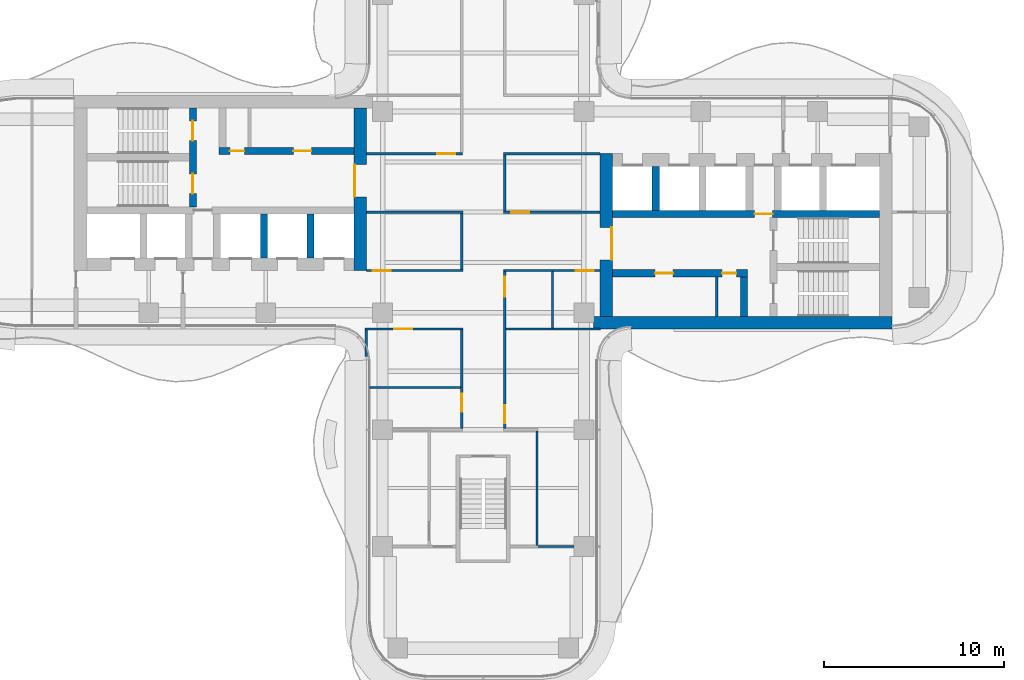
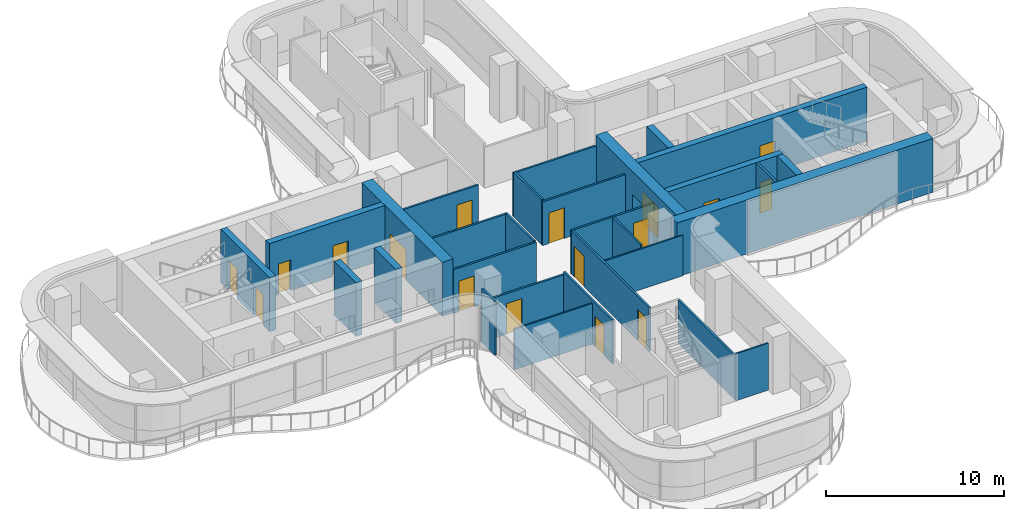
# One storey, part 14 of 18: 29 walls, 17 doors, 17 openings.
"""IFC4 building model written with IfcOpenShell, lengths in metres."""

from ifc_helpers import new_model, si_unit, direction, frame, frame_2d, origin, place, context, subcontext, project, spatial, rectangle, extrude, source, transform, mapped, material, layer, layer_set, type_object, element, fill, save


model = new_model("IFC4")

# Units and contexts
model_context = context("Model", 3, precision=1e-05, world=origin(), true_north=direction((0.0, 1.0)))
body_context = subcontext(model_context, "Body", "Model", "MODEL_VIEW")
ifc_project = project(units=[si_unit("LENGTHUNIT", "METRE"), si_unit("AREAUNIT", "SQUARE_METRE"), si_unit("VOLUMEUNIT", "CUBIC_METRE"), si_unit("PLANEANGLEUNIT", "RADIAN"), si_unit("MASSUNIT", "GRAM", prefix="KILO")], contexts=[model_context])

# Site, building, storey
site_placement = place(None, origin())
site = spatial("IfcSite", under=ifc_project, at=site_placement, CompositionType="ELEMENT")
building_placement = place(site_placement, origin())
building = spatial("IfcBuilding", under=site, at=building_placement, Name="Trellis Farm Tower", CompositionType="ELEMENT")
storey_placement = place(building_placement, frame((0.0, 0.0, 224.60009765625)))
storey = spatial("IfcBuildingStorey", under=building, at=storey_placement, Name="L49", CompositionType="ELEMENT", Elevation=224.60009765625)

# Wall, opening, door
ifc_material_1 = material(Name="Concrete C60/75", Category="concrete")
ifc_layer_1 = layer(ifc_material_1, 0.699951171875)
ifc_layer_set_1 = layer_set([ifc_layer_1], Name="CORE OUTER WALL 700 CONCRETE C60/75")
wall_type_1 = type_object("IfcWallType", Name="CORE OUTER WALL 700 CONCRETE C60/75", PredefinedType="SHEAR", material=ifc_layer_set_1)
shared_shape_1 = source(origin(), body_context, "Body", "SweptSolid", [
    extrude(rectangle(XDim=9.050048828125, YDim=0.699951171875, at=frame_2d((4.52490234375, 0.0))), origin(), (0.0, 0.0, 1.0), 3.699951171875),
])
wall_1_placement = place(storey_placement, frame((6.85009765625, -5.800048828125, 0.0), z_axis=(0.0, 0.0, 1.0), x_axis=(0.0, 1.0, 0.0)))
wall_1 = element("IfcWall", 1, at=wall_1_placement, inside=storey, type_object=wall_type_1, Name="Core wall", PredefinedType="SHEAR", context=body_context, shape_type="MappedRepresentation", body=[
    mapped(shared_shape_1, transform((0.0, 0.0, 0.0))),
])
shared_shape_2 = source(origin(), body_context, "Body", "SweptSolid", [
    extrude(rectangle(XDim=1.800048828125, YDim=2.10009765625, at=frame_2d((0.89990234375, 1.050048828125))), frame((0.0, 0.360107421875, 0.0), z_axis=(0.0, -1.0, 0.0), x_axis=(1.0, 0.0, 0.0)), (0.0, 0.0, 1.0), 0.72021484375),
])
opening_1_placement = place(wall_1_placement, frame((3.14990234375, 0.0, 0.0)))
opening_1 = element("IfcOpeningElement", 2, at=opening_1_placement, cuts=wall_1, Name="Opening DC1", PredefinedType="OPENING", context=body_context, shape_type="MappedRepresentation", body=[
    mapped(shared_shape_2, transform((0.0, 0.0, 0.0))),
])
ifc_material_2 = material(Name="Steel", Category="steel")
door_type_1 = type_object("IfcDoorType", Name="CORE FIRE DOOR DOUBLE 1800 X 2100", OperationType="DOUBLE_DOOR_SINGLE_SWING", PredefinedType="DOOR", material=ifc_material_2)
shared_shape_3 = source(origin(), body_context, "Body", "SweptSolid", [
    extrude(rectangle(XDim=1.800048828125, YDim=2.10009765625, at=frame_2d((0.89990234375, 1.050048828125))), frame((0.0, -0.27490234375, 0.0), z_axis=(0.0, -1.0, 0.0), x_axis=(1.0, 0.0, 0.0)), (0.0, 0.0, 1.0), 0.050048828125),
])
door_1_placement = place(opening_1_placement, origin())
door_1 = element("IfcDoor", 3, at=door_1_placement, inside=storey, type_object=door_type_1, Name="Core door", OperationType="DOUBLE_DOOR_SINGLE_SWING", OverallHeight=2.10009765625, OverallWidth=1.800048828125, PredefinedType="DOOR", context=body_context, shape_type="MappedRepresentation", body=[
    mapped(shared_shape_3, transform((0.0, 0.0, 0.0))),
])
fill(opening_1, door_1)

wall_2_placement = place(storey_placement, frame((-6.85009765625, 5.800048828125, 0.0), z_axis=(0.0, 0.0, 1.0), x_axis=(0.0, -1.0, 0.0)))
wall_2 = element("IfcWall", 4, at=wall_2_placement, inside=storey, type_object=wall_type_1, Name="Core wall", PredefinedType="SHEAR", context=body_context, shape_type="MappedRepresentation", body=[
    mapped(shared_shape_1, transform((0.0, 0.0, 0.0))),
])
opening_2_placement = place(wall_2_placement, frame((3.14990234375, 0.0, 0.0)))
opening_2 = element("IfcOpeningElement", 5, at=opening_2_placement, cuts=wall_2, Name="Opening DC87", PredefinedType="OPENING", context=body_context, shape_type="MappedRepresentation", body=[
    mapped(shared_shape_2, transform((0.0, 0.0, 0.0))),
])
door_2_placement = place(opening_2_placement, origin())
door_2 = element("IfcDoor", 6, at=door_2_placement, inside=storey, type_object=door_type_1, Name="Core door", OperationType="DOUBLE_DOOR_SINGLE_SWING", OverallHeight=2.10009765625, OverallWidth=1.800048828125, PredefinedType="DOOR", context=body_context, shape_type="MappedRepresentation", body=[
    mapped(shared_shape_3, transform((0.0, 0.0, 0.0))),
])
fill(opening_2, door_2)

# Walls
ifc_layer_2 = layer(ifc_material_1, 0.39990234375)
ifc_layer_set_2 = layer_set([ifc_layer_2], Name="CORE INNER WALL 400 CONCRETE C60/75")
wall_type_2 = type_object("IfcWallType", Name="CORE INNER WALL 400 CONCRETE C60/75", PredefinedType="SHEAR", material=ifc_layer_set_2)
shared_shape_4 = source(origin(), body_context, "Body", "SweptSolid", [
    extrude(rectangle(XDim=2.449951171875, YDim=0.39990234375, at=frame_2d((1.22509765625, 0.0))), origin(), (0.0, 0.0, 1.0), 3.699951171875),
])
for number, where, z_axis, x_axis, name in (
    (7, (9.60009765625, 0.10009765625, 0.0), (0.0, 0.0, 1.0), (0.0, 1.0, 0.0), "Core wall"),
    (8, (-9.60009765625, -0.10009765625, 0.0), (0.0, 0.0, 1.0), (0.0, -1.0, 0.0), "Core wall"),
    (9, (-12.199951171875, -0.10009765625, 0.0), (0.0, 0.0, 1.0), (0.0, -1.0, 0.0), "Core wall"),
):
    element("IfcWall", number, at=place(storey_placement, frame(where, z_axis=z_axis, x_axis=x_axis)), inside=storey, type_object=wall_type_2, Name=name, PredefinedType="SHEAR", context=body_context, shape_type="MappedRepresentation", body=[
        mapped(shared_shape_4, transform((0.0, 0.0, 0.0))),
    ])

# Wall, openings, doors
shared_shape_5 = source(origin(), body_context, "Body", "SweptSolid", [
    extrude(rectangle(XDim=7.5, YDim=0.39990234375, at=frame_2d((3.75, 0.0))), origin(), (0.0, 0.0, 1.0), 3.699951171875),
])
wall_3_placement = place(storey_placement, frame((7.199951171875, -3.39990234375, 0.0), z_axis=(0.0, 0.0, 1.0), x_axis=(1.0, 0.0, 0.0)))
wall_3 = element("IfcWall", 10, at=wall_3_placement, inside=storey, type_object=wall_type_2, Name="Core wall", PredefinedType="SHEAR", context=body_context, shape_type="MappedRepresentation", body=[
    mapped(shared_shape_5, transform((0.0, 0.0, 0.0))),
])
shared_shape_6 = source(origin(), body_context, "Body", "SweptSolid", [
    extrude(rectangle(XDim=1.0, YDim=2.10009765625, at=frame_2d((0.5, 1.050048828125))), frame((0.0, 0.2099609375, 0.0), z_axis=(0.0, -1.0, 0.0), x_axis=(1.0, 0.0, 0.0)), (0.0, 0.0, 1.0), 0.419921875),
])
opening_3_placement = place(wall_3_placement, frame((2.362548828125, 0.0, 0.0)))
opening_3 = element("IfcOpeningElement", 11, at=opening_3_placement, cuts=wall_3, Name="Opening DC55", PredefinedType="OPENING", context=body_context, shape_type="MappedRepresentation", body=[
    mapped(shared_shape_6, transform((0.0, 0.0, 0.0))),
])
shared_shape_7 = source(origin(), body_context, "Body", "SweptSolid", [
    extrude(rectangle(XDim=0.800048828125, YDim=2.10009765625, at=frame_2d((0.39990234375, 1.050048828125))), frame((0.0, 0.2099609375, 0.0), z_axis=(0.0, -1.0, 0.0), x_axis=(1.0, 0.0, 0.0)), (0.0, 0.0, 1.0), 0.419921875),
])
opening_4_placement = place(wall_3_placement, frame((6.08740234375, 0.0, 0.0)))
opening_4 = element("IfcOpeningElement", 12, at=opening_4_placement, cuts=wall_3, Name="Opening DC58", PredefinedType="OPENING", context=body_context, shape_type="MappedRepresentation", body=[
    mapped(shared_shape_7, transform((0.0, 0.0, 0.0))),
])
door_type_2 = type_object("IfcDoorType", Name="CORE FIRE DOOR 1000 X 2100", OperationType="NOTDEFINED", PredefinedType="DOOR", material=ifc_material_2)
shared_shape_8 = source(origin(), body_context, "Body", "SweptSolid", [
    extrude(rectangle(XDim=1.0, YDim=2.10009765625, at=frame_2d((0.5, 1.050048828125))), frame((0.0, 0.02490234375, 0.0), z_axis=(0.0, -1.0, 0.0), x_axis=(1.0, 0.0, 0.0)), (0.0, 0.0, 1.0), 0.050048828125),
])
door_3_placement = place(opening_3_placement, origin())
door_3 = element("IfcDoor", 13, at=door_3_placement, inside=storey, type_object=door_type_2, Name="Core door", OperationType="SINGLE_SWING_LEFT", OverallHeight=2.10009765625, OverallWidth=1.0, PredefinedType="DOOR", context=body_context, shape_type="MappedRepresentation", body=[
    mapped(shared_shape_8, transform((0.0, 0.0, 0.0))),
])
fill(opening_3, door_3)
door_type_3 = type_object("IfcDoorType", Name="CORE FIRE DOOR 800 X 2100", OperationType="NOTDEFINED", PredefinedType="DOOR", material=ifc_material_2)
shared_shape_9 = source(origin(), body_context, "Body", "SweptSolid", [
    extrude(rectangle(XDim=0.800048828125, YDim=2.10009765625, at=frame_2d((0.39990234375, 1.050048828125))), frame((0.0, 0.02490234375, 0.0), z_axis=(0.0, -1.0, 0.0), x_axis=(1.0, 0.0, 0.0)), (0.0, 0.0, 1.0), 0.050048828125),
])
door_4_placement = place(opening_4_placement, origin())
door_4 = element("IfcDoor", 14, at=door_4_placement, inside=storey, type_object=door_type_3, Name="Core door", OperationType="SINGLE_SWING_RIGHT", OverallHeight=2.10009765625, OverallWidth=0.800048828125, PredefinedType="DOOR", context=body_context, shape_type="MappedRepresentation", body=[
    mapped(shared_shape_9, transform((0.0, 0.0, 0.0))),
])
fill(opening_4, door_4)

wall_4_placement = place(storey_placement, frame((-7.199951171875, 3.39990234375, 0.0), z_axis=(0.0, 0.0, 1.0), x_axis=(-1.0, 0.0, 0.0)))
wall_4 = element("IfcWall", 15, at=wall_4_placement, inside=storey, type_object=wall_type_2, Name="Core wall", PredefinedType="SHEAR", context=body_context, shape_type="MappedRepresentation", body=[
    mapped(shared_shape_5, transform((0.0, 0.0, 0.0))),
])
opening_5_placement = place(wall_4_placement, frame((2.362548828125, 0.0, 0.0)))
opening_5 = element("IfcOpeningElement", 16, at=opening_5_placement, cuts=wall_4, Name="Opening DC141", PredefinedType="OPENING", context=body_context, shape_type="MappedRepresentation", body=[
    mapped(shared_shape_6, transform((0.0, 0.0, 0.0))),
])
opening_6_placement = place(wall_4_placement, frame((6.08740234375, 0.0, 0.0)))
opening_6 = element("IfcOpeningElement", 17, at=opening_6_placement, cuts=wall_4, Name="Opening DC144", PredefinedType="OPENING", context=body_context, shape_type="MappedRepresentation", body=[
    mapped(shared_shape_7, transform((0.0, 0.0, 0.0))),
])
door_5_placement = place(opening_5_placement, origin())
door_5 = element("IfcDoor", 18, at=door_5_placement, inside=storey, type_object=door_type_2, Name="Core door", OperationType="SINGLE_SWING_LEFT", OverallHeight=2.10009765625, OverallWidth=1.0, PredefinedType="DOOR", context=body_context, shape_type="MappedRepresentation", body=[
    mapped(shared_shape_8, transform((0.0, 0.0, 0.0))),
])
fill(opening_5, door_5)
door_6_placement = place(opening_6_placement, origin())
door_6 = element("IfcDoor", 19, at=door_6_placement, inside=storey, type_object=door_type_3, Name="Core door", OperationType="SINGLE_SWING_RIGHT", OverallHeight=2.10009765625, OverallWidth=0.800048828125, PredefinedType="DOOR", context=body_context, shape_type="MappedRepresentation", body=[
    mapped(shared_shape_9, transform((0.0, 0.0, 0.0))),
])
fill(opening_6, door_6)

# Wall, opening, door
shared_shape_10 = source(origin(), body_context, "Body", "SweptSolid", [
    extrude(rectangle(XDim=14.85009765625, YDim=0.39990234375, at=frame_2d((7.425048828125, 0.0))), origin(), (0.0, 0.0, 1.0), 3.699951171875),
])
wall_5_placement = place(storey_placement, frame((7.199951171875, -0.10009765625, 0.0), z_axis=(0.0, 0.0, 1.0), x_axis=(1.0, 0.0, 0.0)))
wall_5 = element("IfcWall", 20, at=wall_5_placement, inside=storey, type_object=wall_type_2, Name="Core wall", PredefinedType="SHEAR", context=body_context, shape_type="MappedRepresentation", body=[
    mapped(shared_shape_10, transform((0.0, 0.0, 0.0))),
])
opening_7_placement = place(wall_5_placement, frame((7.89990234375, 0.0, 0.0)))
opening_7 = element("IfcOpeningElement", 21, at=opening_7_placement, cuts=wall_5, Name="Opening DC5", PredefinedType="OPENING", context=body_context, shape_type="MappedRepresentation", body=[
    mapped(shared_shape_6, transform((0.0, 0.0, 0.0))),
])
door_7_placement = place(opening_7_placement, origin())
door_7 = element("IfcDoor", 22, at=door_7_placement, inside=storey, type_object=door_type_2, Name="Core door", OperationType="SINGLE_SWING_RIGHT", OverallHeight=2.10009765625, OverallWidth=1.0, PredefinedType="DOOR", context=body_context, shape_type="MappedRepresentation", body=[
    mapped(shared_shape_8, transform((0.0, 0.0, 0.0))),
])
fill(opening_7, door_7)

# Wall, openings, doors
shared_shape_11 = source(origin(), body_context, "Body", "SweptSolid", [
    extrude(rectangle(XDim=5.5, YDim=0.39990234375, at=frame_2d((2.75, 0.0))), origin(), (0.0, 0.0, 1.0), 3.699951171875),
])
wall_6_placement = place(storey_placement, frame((-16.14990234375, 5.800048828125, 0.0), z_axis=(0.0, 0.0, 1.0), x_axis=(0.0, -1.0, 0.0)))
wall_6 = element("IfcWall", 23, at=wall_6_placement, inside=storey, type_object=wall_type_2, Name="Core wall", PredefinedType="SHEAR", context=body_context, shape_type="MappedRepresentation", body=[
    mapped(shared_shape_11, transform((0.0, 0.0, 0.0))),
])
shared_shape_12 = source(origin(), body_context, "Body", "SweptSolid", [
    extrude(rectangle(XDim=1.10009765625, YDim=2.10009765625, at=frame_2d((0.550048828125, 1.050048828125))), frame((0.0, 0.2099609375, 0.0), z_axis=(0.0, -1.0, 0.0), x_axis=(1.0, 0.0, 0.0)), (0.0, 0.0, 1.0), 0.419921875),
])
opening_8_placement = place(wall_6_placement, frame((0.72509765625, 0.0, 0.0)))
opening_8 = element("IfcOpeningElement", 24, at=opening_8_placement, cuts=wall_6, Name="Opening DC88", PredefinedType="OPENING", context=body_context, shape_type="MappedRepresentation", body=[
    mapped(shared_shape_12, transform((0.0, 0.0, 0.0))),
])
opening_9_placement = place(wall_6_placement, frame((3.675048828125, 0.0, 0.0)))
opening_9 = element("IfcOpeningElement", 25, at=opening_9_placement, cuts=wall_6, Name="Opening DC89", PredefinedType="OPENING", context=body_context, shape_type="MappedRepresentation", body=[
    mapped(shared_shape_12, transform((0.0, 0.0, 0.0))),
])
door_type_4 = type_object("IfcDoorType", Name="CORE FIRE DOOR 1100 X 2100", OperationType="NOTDEFINED", PredefinedType="DOOR", material=ifc_material_2)
shared_shape_13 = source(origin(), body_context, "Body", "SweptSolid", [
    extrude(rectangle(XDim=1.10009765625, YDim=2.10009765625, at=frame_2d((0.550048828125, 1.050048828125))), frame((0.0, 0.02490234375, 0.0), z_axis=(0.0, -1.0, 0.0), x_axis=(1.0, 0.0, 0.0)), (0.0, 0.0, 1.0), 0.050048828125),
])
door_8_placement = place(opening_8_placement, origin())
door_8 = element("IfcDoor", 26, at=door_8_placement, inside=storey, type_object=door_type_4, Name="Core door", OperationType="SINGLE_SWING_RIGHT", OverallHeight=2.10009765625, OverallWidth=1.10009765625, PredefinedType="DOOR", context=body_context, shape_type="MappedRepresentation", body=[
    mapped(shared_shape_13, transform((0.0, 0.0, 0.0))),
])
fill(opening_8, door_8)
door_9_placement = place(opening_9_placement, origin())
door_9 = element("IfcDoor", 27, at=door_9_placement, inside=storey, type_object=door_type_4, Name="Core door", OperationType="SINGLE_SWING_LEFT", OverallHeight=2.10009765625, OverallWidth=1.10009765625, PredefinedType="DOOR", context=body_context, shape_type="MappedRepresentation", body=[
    mapped(shared_shape_13, transform((0.0, 0.0, 0.0))),
])
fill(opening_9, door_9)

# Walls
shared_shape_14 = source(origin(), body_context, "Body", "SweptSolid", [
    extrude(rectangle(XDim=2.199951171875, YDim=0.39990234375, at=frame_2d((1.10009765625, 0.0))), origin(), (0.0, 0.0, 1.0), 3.699951171875),
])
wall_7_placement = place(storey_placement, frame((14.5, -5.800048828125, 0.0), z_axis=(0.0, 0.0, 1.0), x_axis=(0.0, 1.0, 0.0)))
element("IfcWall", 28, at=wall_7_placement, inside=storey, type_object=wall_type_2, Name="Core wall", PredefinedType="SHEAR", context=body_context, shape_type="MappedRepresentation", body=[
    mapped(shared_shape_14, transform((0.0, 0.0, 0.0))),
])
ifc_material_3 = material(Name="Masonry blockwork", Category="masonry")
ifc_layer_3 = layer(ifc_material_3, 0.14990234375)
ifc_layer_set_3 = layer_set([ifc_layer_3], Name="CORE PARTITION 150 BLOCKWORK")
wall_type_3 = type_object("IfcWallType", Name="CORE PARTITION 150 BLOCKWORK", PredefinedType="PARTITIONING", material=ifc_layer_set_3)
shared_shape_15 = source(origin(), body_context, "Body", "SweptSolid", [
    extrude(rectangle(XDim=2.199951171875, YDim=0.14990234375, at=frame_2d((1.10009765625, 0.0))), origin(), (0.0, 0.0, 1.0), 3.699951171875),
])
wall_8_placement = place(storey_placement, frame((13.0, -5.800048828125, 0.0), z_axis=(0.0, 0.0, 1.0), x_axis=(0.0, 1.0, 0.0)))
element("IfcWall", 29, at=wall_8_placement, inside=storey, type_object=wall_type_3, Name="Core room partition", PredefinedType="PARTITIONING", context=body_context, shape_type="MappedRepresentation", body=[
    mapped(shared_shape_15, transform((0.0, 0.0, 0.0))),
])
shared_shape_16 = source(origin(), body_context, "Body", "SweptSolid", [
    extrude(rectangle(XDim=16.60009765625, YDim=0.699951171875, at=frame_2d((8.300048828125, 0.0))), origin(), (0.0, 0.0, 1.0), 3.699951171875),
])
wall_9_placement = place(storey_placement, frame((6.14990234375, -6.14990234375, 0.0), z_axis=(0.0, 0.0, 1.0), x_axis=(1.0, 0.0, 0.0)))
element("IfcWall", 30, at=wall_9_placement, inside=storey, type_object=wall_type_1, Name="Core wall", PredefinedType="SHEAR", context=body_context, shape_type="MappedRepresentation", body=[
    mapped(shared_shape_16, transform((0.0, 0.0, 0.0))),
])

# Wall, opening, door
ifc_material_4 = material(Name="Plasterboard on steel studs, mineral wool", Category="steel")
ifc_layer_4 = layer(ifc_material_4, 0.125)
ifc_layer_set_4 = layer_set([ifc_layer_4], Name="PARTITION 125 STUD EI 60")
wall_type_4 = type_object("IfcWallType", Name="PARTITION 125 STUD EI 60", PredefinedType="PARTITIONING", material=ifc_layer_set_4)
shared_shape_17 = source(origin(), body_context, "Body", "SweptSolid", [
    extrude(rectangle(XDim=5.47509765625, YDim=0.125, at=frame_2d((2.737548828125, 0.0))), origin(), (0.0, 0.0, 1.0), 2.99658203125),
])
wall_10_placement = place(storey_placement, frame((-1.199951171875, -12.03759765625, 0.0), z_axis=(0.0, 0.0, 1.0), x_axis=(0.0, 1.0, 0.0)))
wall_10 = element("IfcWall", 31, at=wall_10_placement, inside=storey, type_object=wall_type_4, Name="Partition PW1", PredefinedType="PARTITIONING", context=body_context, shape_type="MappedRepresentation", body=[
    mapped(shared_shape_17, transform((0.0, 0.0, 0.0))),
])
shared_shape_18 = source(origin(), body_context, "Body", "SweptSolid", [
    extrude(rectangle(XDim=1.0, YDim=2.10009765625, at=frame_2d((0.5, 1.050048828125))), frame((0.0, 0.072509765625, 0.0), z_axis=(0.0, -1.0, 0.0), x_axis=(1.0, 0.0, 0.0)), (0.0, 0.0, 1.0), 0.14501953125),
])
opening_10_placement = place(wall_10_placement, frame((0.9375, 0.0, 0.0)))
opening_10 = element("IfcOpeningElement", 32, at=opening_10_placement, cuts=wall_10, Name="Opening D104", PredefinedType="OPENING", context=body_context, shape_type="MappedRepresentation", body=[
    mapped(shared_shape_18, transform((0.0, 0.0, 0.0))),
])
ifc_material_5 = material(Name="Fire-rated timber door leaf in a hollow metal frame", Category="wood")
door_type_5 = type_object("IfcDoorType", Name="DOOR 1000x2100 FD30S", OperationType="NOTDEFINED", PredefinedType="DOOR", material=ifc_material_5)
door_10_placement = place(opening_10_placement, origin())
door_10 = element("IfcDoor", 33, at=door_10_placement, inside=storey, type_object=door_type_5, Name="Door D104", OperationType="SINGLE_SWING_RIGHT", OverallHeight=2.10009765625, OverallWidth=1.0, PredefinedType="DOOR", context=body_context, shape_type="MappedRepresentation", body=[
    mapped(shared_shape_8, transform((0.0, 0.0, 0.0))),
])
fill(opening_10, door_10)

# Wall
shared_shape_19 = source(origin(), body_context, "Body", "SweptSolid", [
    extrude(rectangle(XDim=1.468994140625, YDim=0.125, at=frame_2d((0.734375, 0.0))), origin(), (0.0, 0.0, 1.0), 3.699951171875),
])
wall_11_placement = place(storey_placement, frame((-6.5, -6.5625, 0.0), z_axis=(0.0, 0.0, 1.0), x_axis=(0.0, -1.0, 0.0)))
element("IfcWall", 34, at=wall_11_placement, inside=storey, type_object=wall_type_4, Name="Partition PW1", PredefinedType="PARTITIONING", context=body_context, shape_type="MappedRepresentation", body=[
    mapped(shared_shape_19, transform((0.0, 0.0, 0.0))),
])

# Wall, opening, door
shared_shape_20 = source(origin(), body_context, "Body", "SweptSolid", [
    extrude(rectangle(XDim=5.362548828125, YDim=0.125, at=frame_2d((2.68115234375, 0.0))), origin(), (0.0, 0.0, 1.0), 2.99658203125),
])
wall_12_placement = place(storey_placement, frame((-1.137451171875, -3.25, 0.0), z_axis=(0.0, 0.0, 1.0), x_axis=(-1.0, 0.0, 0.0)))
wall_12 = element("IfcWall", 35, at=wall_12_placement, inside=storey, type_object=wall_type_4, Name="Partition PW1", PredefinedType="PARTITIONING", context=body_context, shape_type="MappedRepresentation", body=[
    mapped(shared_shape_20, transform((0.0, 0.0, 0.0))),
])
opening_11_placement = place(wall_12_placement, frame((4.012451171875, 0.0, 0.0)))
opening_11 = element("IfcOpeningElement", 36, at=opening_11_placement, cuts=wall_12, Name="Opening D106", PredefinedType="OPENING", context=body_context, shape_type="MappedRepresentation", body=[
    mapped(shared_shape_18, transform((0.0, 0.0, 0.0))),
])
door_11_placement = place(opening_11_placement, origin())
door_11 = element("IfcDoor", 37, at=door_11_placement, inside=storey, type_object=door_type_5, Name="Door D106", OperationType="SINGLE_SWING_RIGHT", OverallHeight=2.10009765625, OverallWidth=1.0, PredefinedType="DOOR", context=body_context, shape_type="MappedRepresentation", body=[
    mapped(shared_shape_8, transform((0.0, 0.0, 0.0))),
])
fill(opening_11, door_11)

wall_13_placement = place(storey_placement, frame((6.5, -3.25, 0.0), z_axis=(0.0, 0.0, 1.0), x_axis=(-1.0, 0.0, 0.0)))
wall_13 = element("IfcWall", 38, at=wall_13_placement, inside=storey, type_object=wall_type_4, Name="Partition PW1", PredefinedType="PARTITIONING", context=body_context, shape_type="MappedRepresentation", body=[
    mapped(shared_shape_20, transform((0.0, 0.0, 0.0))),
])
opening_12_placement = place(wall_13_placement, frame((0.35009765625, 0.0, 0.0)))
opening_12 = element("IfcOpeningElement", 39, at=opening_12_placement, cuts=wall_13, Name="Opening D107", PredefinedType="OPENING", context=body_context, shape_type="MappedRepresentation", body=[
    mapped(shared_shape_18, transform((0.0, 0.0, 0.0))),
])
door_12_placement = place(opening_12_placement, origin())
door_12 = element("IfcDoor", 40, at=door_12_placement, inside=storey, type_object=door_type_5, Name="Door D107", OperationType="SINGLE_SWING_LEFT", OverallHeight=2.10009765625, OverallWidth=1.0, PredefinedType="DOOR", context=body_context, shape_type="MappedRepresentation", body=[
    mapped(shared_shape_8, transform((0.0, 0.0, 0.0))),
])
fill(opening_12, door_12)

# Wall
wall_14_placement = place(storey_placement, frame((-1.137451171875, 0.0, 0.0), z_axis=(0.0, 0.0, 1.0), x_axis=(-1.0, 0.0, 0.0)))
element("IfcWall", 41, at=wall_14_placement, inside=storey, type_object=wall_type_4, Name="Partition PW1", PredefinedType="PARTITIONING", context=body_context, shape_type="MappedRepresentation", body=[
    mapped(shared_shape_20, transform((0.0, 0.0, 0.0))),
])

# Wall, opening, door
wall_15_placement = place(storey_placement, frame((6.5, 0.0, 0.0), z_axis=(0.0, 0.0, 1.0), x_axis=(-1.0, 0.0, 0.0)))
wall_15 = element("IfcWall", 42, at=wall_15_placement, inside=storey, type_object=wall_type_4, Name="Partition PW1", PredefinedType="PARTITIONING", context=body_context, shape_type="MappedRepresentation", body=[
    mapped(shared_shape_20, transform((0.0, 0.0, 0.0))),
])
opening_13_placement = place(wall_15_placement, frame((3.949951171875, 0.0, 0.0)))
opening_13 = element("IfcOpeningElement", 43, at=opening_13_placement, cuts=wall_15, Name="Opening D108", PredefinedType="OPENING", context=body_context, shape_type="MappedRepresentation", body=[
    mapped(shared_shape_18, transform((0.0, 0.0, 0.0))),
])
door_13_placement = place(opening_13_placement, origin())
door_13 = element("IfcDoor", 44, at=door_13_placement, inside=storey, type_object=door_type_5, Name="Door D108", OperationType="SINGLE_SWING_RIGHT", OverallHeight=2.10009765625, OverallWidth=1.0, PredefinedType="DOOR", context=body_context, shape_type="MappedRepresentation", body=[
    mapped(shared_shape_8, transform((0.0, 0.0, 0.0))),
])
fill(opening_13, door_13)

wall_16_placement = place(storey_placement, frame((-6.5, 3.25, 0.0), z_axis=(0.0, 0.0, 1.0), x_axis=(1.0, 0.0, 0.0)))
wall_16 = element("IfcWall", 45, at=wall_16_placement, inside=storey, type_object=wall_type_4, Name="Partition PW1", PredefinedType="PARTITIONING", context=body_context, shape_type="MappedRepresentation", body=[
    mapped(shared_shape_20, transform((0.0, 0.0, 0.0))),
])
opening_14_placement = place(wall_16_placement, frame((3.949951171875, 0.0, 0.0)))
opening_14 = element("IfcOpeningElement", 46, at=opening_14_placement, cuts=wall_16, Name="Opening D110", PredefinedType="OPENING", context=body_context, shape_type="MappedRepresentation", body=[
    mapped(shared_shape_18, transform((0.0, 0.0, 0.0))),
])
door_14_placement = place(opening_14_placement, origin())
door_14 = element("IfcDoor", 47, at=door_14_placement, inside=storey, type_object=door_type_5, Name="Door D110", OperationType="SINGLE_SWING_RIGHT", OverallHeight=2.10009765625, OverallWidth=1.0, PredefinedType="DOOR", context=body_context, shape_type="MappedRepresentation", body=[
    mapped(shared_shape_8, transform((0.0, 0.0, 0.0))),
])
fill(opening_14, door_14)

# Wall
wall_17_placement = place(storey_placement, frame((1.137451171875, 3.25, 0.0), z_axis=(0.0, 0.0, 1.0), x_axis=(1.0, 0.0, 0.0)))
element("IfcWall", 48, at=wall_17_placement, inside=storey, type_object=wall_type_4, Name="Partition PW1", PredefinedType="PARTITIONING", context=body_context, shape_type="MappedRepresentation", body=[
    mapped(shared_shape_20, transform((0.0, 0.0, 0.0))),
])

# Wall, openings, doors
shared_shape_21 = source(origin(), body_context, "Body", "SweptSolid", [
    extrude(rectangle(XDim=8.72509765625, YDim=0.125, at=frame_2d((4.362548828125, 0.0))), origin(), (0.0, 0.0, 1.0), 2.99658203125),
])
wall_18_placement = place(storey_placement, frame((1.199951171875, -3.3125, 0.0), z_axis=(0.0, 0.0, 1.0), x_axis=(0.0, -1.0, 0.0)))
wall_18 = element("IfcWall", 49, at=wall_18_placement, inside=storey, type_object=wall_type_4, Name="Partition PW1", PredefinedType="PARTITIONING", context=body_context, shape_type="MappedRepresentation", body=[
    mapped(shared_shape_21, transform((0.0, 0.0, 0.0))),
])
opening_15_placement = place(wall_18_placement, frame((7.4375, 0.0, 0.0)))
opening_15 = element("IfcOpeningElement", 50, at=opening_15_placement, cuts=wall_18, Name="Opening D103", PredefinedType="OPENING", context=body_context, shape_type="MappedRepresentation", body=[
    mapped(shared_shape_18, transform((0.0, 0.0, 0.0))),
])
shared_shape_22 = source(origin(), body_context, "Body", "SweptSolid", [
    extrude(rectangle(XDim=1.10009765625, YDim=2.10009765625, at=frame_2d((0.550048828125, 1.050048828125))), frame((0.0, 0.072509765625, 0.0), z_axis=(0.0, -1.0, 0.0), x_axis=(1.0, 0.0, 0.0)), (0.0, 0.0, 1.0), 0.14501953125),
])
opening_16_placement = place(wall_18_placement, frame((0.28759765625, 0.0, 0.0)))
opening_16 = element("IfcOpeningElement", 51, at=opening_16_placement, cuts=wall_18, Name="Opening D501", PredefinedType="OPENING", context=body_context, shape_type="MappedRepresentation", body=[
    mapped(shared_shape_22, transform((0.0, 0.0, 0.0))),
])
door_type_6 = type_object("IfcDoorType", Name="DOOR 1100x2100 FD30S", OperationType="NOTDEFINED", PredefinedType="DOOR", material=ifc_material_5)
door_15_placement = place(opening_16_placement, origin())
door_15 = element("IfcDoor", 52, at=door_15_placement, inside=storey, type_object=door_type_6, Name="Door D501", OperationType="SINGLE_SWING_LEFT", OverallHeight=2.10009765625, OverallWidth=1.10009765625, PredefinedType="DOOR", context=body_context, shape_type="MappedRepresentation", body=[
    mapped(shared_shape_13, transform((0.0, 0.0, 0.0))),
])
fill(opening_16, door_15)
door_16_placement = place(opening_15_placement, origin())
door_16 = element("IfcDoor", 53, at=door_16_placement, inside=storey, type_object=door_type_5, Name="Door D103", OperationType="SINGLE_SWING_RIGHT", OverallHeight=2.10009765625, OverallWidth=1.0, PredefinedType="DOOR", context=body_context, shape_type="MappedRepresentation", body=[
    mapped(shared_shape_8, transform((0.0, 0.0, 0.0))),
])
fill(opening_15, door_16)

# Walls
shared_shape_23 = source(origin(), body_context, "Body", "SweptSolid", [
    extrude(rectangle(XDim=3.125, YDim=0.125, at=frame_2d((1.5625, 0.0))), origin(), (0.0, 0.0, 1.0), 3.067626953125),
])
for number, where, z_axis, x_axis, name in (
    (54, (-1.199951171875, -0.0625, 0.0), (0.0, 0.0, 1.0), (0.0, -1.0, 0.0), "Partition PW1"),
    (55, (1.199951171875, 3.1875, 0.0), (0.0, 0.0, 1.0), (0.0, -1.0, 0.0), "Partition PW1"),
):
    element("IfcWall", number, at=place(storey_placement, frame(where, z_axis=z_axis, x_axis=x_axis)), inside=storey, type_object=wall_type_4, Name=name, PredefinedType="PARTITIONING", context=body_context, shape_type="MappedRepresentation", body=[
        mapped(shared_shape_23, transform((0.0, 0.0, 0.0))),
    ])

# Wall, opening, door
shared_shape_24 = source(origin(), body_context, "Body", "SweptSolid", [
    extrude(rectangle(XDim=5.425048828125, YDim=0.125, at=frame_2d((2.71240234375, 0.0))), origin(), (0.0, 0.0, 1.0), 2.77978515625),
])
wall_19_placement = place(storey_placement, frame((-1.137451171875, -6.5, 0.0), z_axis=(0.0, 0.0, 1.0), x_axis=(-1.0, 0.0, 0.0)))
wall_19 = element("IfcWall", 56, at=wall_19_placement, inside=storey, type_object=wall_type_4, Name="Partition PW1", PredefinedType="PARTITIONING", context=body_context, shape_type="MappedRepresentation", body=[
    mapped(shared_shape_24, transform((0.0, 0.0, 0.0))),
])
opening_17_placement = place(wall_19_placement, frame((2.8125, 0.0, 0.0)))
opening_17 = element("IfcOpeningElement", 57, at=opening_17_placement, cuts=wall_19, Name="Opening D105", PredefinedType="OPENING", context=body_context, shape_type="MappedRepresentation", body=[
    mapped(shared_shape_18, transform((0.0, 0.0, 0.0))),
])
door_17_placement = place(opening_17_placement, origin())
door_17 = element("IfcDoor", 58, at=door_17_placement, inside=storey, type_object=door_type_5, Name="Door D105", OperationType="SINGLE_SWING_RIGHT", OverallHeight=2.10009765625, OverallWidth=1.0, PredefinedType="DOOR", context=body_context, shape_type="MappedRepresentation", body=[
    mapped(shared_shape_8, transform((0.0, 0.0, 0.0))),
])
fill(opening_17, door_17)

# Walls
ifc_material_6 = material(Name="Plasterboard on steel studs", Category="steel")
ifc_layer_5 = layer(ifc_material_6, 0.10009765625)
ifc_layer_set_5 = layer_set([ifc_layer_5], Name="PARTITION 100 STUD EI 30")
wall_type_5 = type_object("IfcWallType", Name="PARTITION 100 STUD EI 30", PredefinedType="PARTITIONING", material=ifc_layer_set_5)
shared_shape_25 = source(origin(), body_context, "Body", "SweptSolid", [
    extrude(rectangle(XDim=5.03759765625, YDim=0.10009765625, at=frame_2d((2.518798828125, 0.0))), origin(), (0.0, 0.0, 1.0), 2.77978515625),
])
wall_20_placement = place(storey_placement, frame((-6.300048828125, -9.75, 0.0), z_axis=(0.0, 0.0, 1.0), x_axis=(1.0, 0.0, 0.0)))
element("IfcWall", 59, at=wall_20_placement, inside=storey, type_object=wall_type_5, Name="Partition PW2", PredefinedType="PARTITIONING", context=body_context, shape_type="MappedRepresentation", body=[
    mapped(shared_shape_25, transform((0.0, 0.0, 0.0))),
])
shared_shape_26 = source(origin(), body_context, "Body", "SweptSolid", [
    extrude(rectangle(XDim=5.237548828125, YDim=0.10009765625, at=frame_2d((2.61865234375, 0.0))), origin(), (0.0, 0.0, 1.0), 2.77978515625),
])
wall_21_placement = place(storey_placement, frame((1.262451171875, -6.5, 0.0), z_axis=(0.0, 0.0, 1.0), x_axis=(1.0, 0.0, 0.0)))
element("IfcWall", 60, at=wall_21_placement, inside=storey, type_object=wall_type_5, Name="Partition PW2", PredefinedType="PARTITIONING", context=body_context, shape_type="MappedRepresentation", body=[
    mapped(shared_shape_26, transform((0.0, 0.0, 0.0))),
])
shared_shape_27 = source(origin(), body_context, "Body", "SweptSolid", [
    extrude(rectangle(XDim=6.387451171875, YDim=0.125, at=frame_2d((3.19384765625, 0.0))), origin(), (0.0, 0.0, 1.0), 2.99658203125),
])
wall_22_placement = place(storey_placement, frame((3.0, -12.16259765625, 0.0), z_axis=(0.0, 0.0, 1.0), x_axis=(0.0, -1.0, 0.0)))
element("IfcWall", 61, at=wall_22_placement, inside=storey, type_object=wall_type_4, Name="Partition PW1", PredefinedType="PARTITIONING", context=body_context, shape_type="MappedRepresentation", body=[
    mapped(shared_shape_27, transform((0.0, 0.0, 0.0))),
])
shared_shape_28 = source(origin(), body_context, "Body", "SweptSolid", [
    extrude(rectangle(XDim=3.137451171875, YDim=0.10009765625, at=frame_2d((1.56884765625, 0.0))), origin(), (0.0, 0.0, 1.0), 2.99658203125),
])
wall_23_placement = place(storey_placement, frame((3.85009765625, -6.449951171875, 0.0), z_axis=(0.0, 0.0, 1.0), x_axis=(0.0, 1.0, 0.0)))
element("IfcWall", 62, at=wall_23_placement, inside=storey, type_object=wall_type_5, Name="Partition PW2", PredefinedType="PARTITIONING", context=body_context, shape_type="MappedRepresentation", body=[
    mapped(shared_shape_28, transform((0.0, 0.0, 0.0))),
])
shared_shape_29 = source(origin(), body_context, "Body", "SweptSolid", [
    extrude(rectangle(XDim=2.112548828125, YDim=0.10009765625, at=frame_2d((1.05615234375, 0.0))), origin(), (0.0, 0.0, 1.0), 3.222900390625),
])
wall_24_placement = place(storey_placement, frame((2.9375, -18.60009765625, 0.0), z_axis=(0.0, 0.0, 1.0), x_axis=(1.0, 0.0, 0.0)))
element("IfcWall", 63, at=wall_24_placement, inside=storey, type_object=wall_type_5, Name="Partition PW2", PredefinedType="PARTITIONING", context=body_context, shape_type="MappedRepresentation", body=[
    mapped(shared_shape_29, transform((0.0, 0.0, 0.0))),
])

save(model, "model.ifc")
